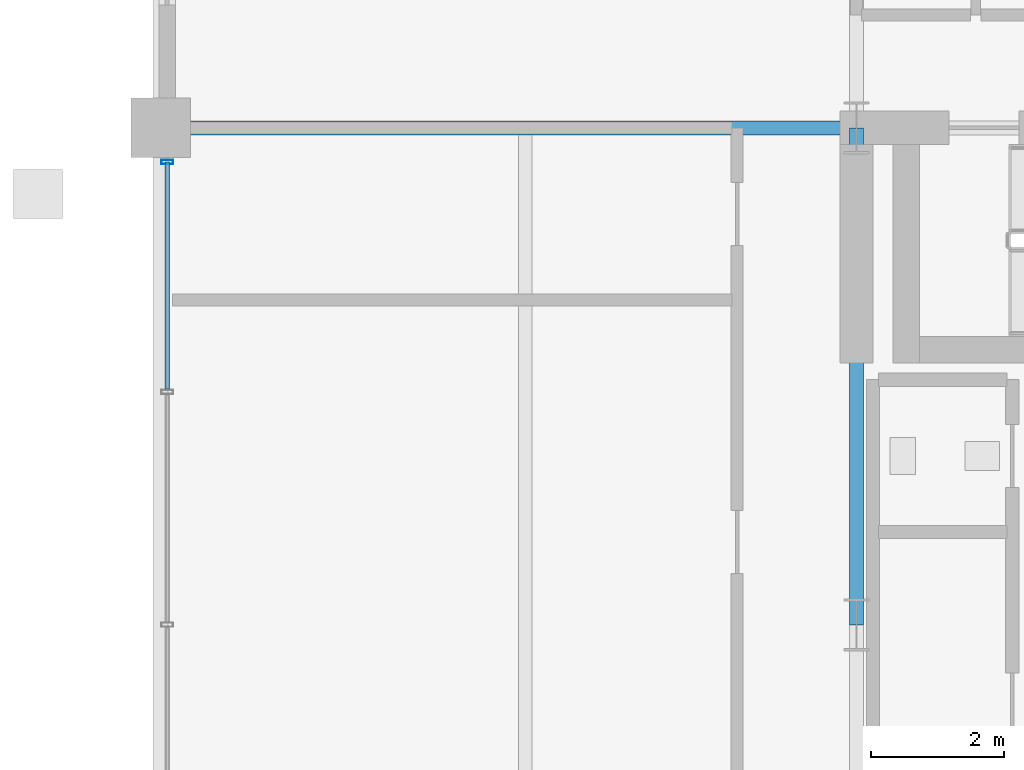
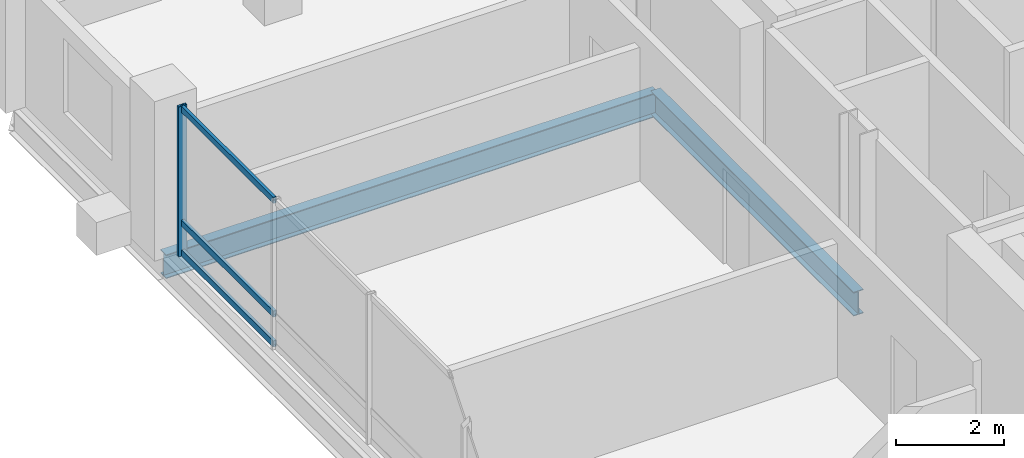
# One storey, part 8 of 21: 4 members, 2 beams, 1 element without a shape of its own.
"""IFC4 building model written with IfcOpenShell, lengths in metres."""

from ifc_helpers import new_model, si_unit, direction, frame, origin, origin_2d, place, context, subcontext, project, spatial, hollow_rectangle, i_section, extrude, material, layer, layer_set, material_profile, profile_set, type_object, element, aggregate, save


model = new_model("IFC4")

# Units and contexts
model_context = context("Model", 3, precision=1e-05, world=origin(), true_north=direction((0.0, 1.0)))
body_context = subcontext(model_context, "Body", "Model", "MODEL_VIEW")
ifc_project = project(units=[si_unit("LENGTHUNIT", "METRE"), si_unit("AREAUNIT", "SQUARE_METRE"), si_unit("VOLUMEUNIT", "CUBIC_METRE"), si_unit("PLANEANGLEUNIT", "RADIAN"), si_unit("MASSUNIT", "GRAM", prefix="KILO")], contexts=[model_context])

# Site, building, storey
site_placement = place(None, origin())
site = spatial("IfcSite", under=ifc_project, at=site_placement, CompositionType="ELEMENT")
building_placement = place(site_placement, origin())
building = spatial("IfcBuilding", under=site, at=building_placement, Name="Barlavira Tower and Art Museum", CompositionType="ELEMENT")
storey_placement = place(building_placement, frame((0.0, 0.0, 233.10009765625)))
storey = spatial("IfcBuildingStorey", under=building, at=storey_placement, Name="L60", CompositionType="ELEMENT", Elevation=233.10009765625)

# Curtain wall, members
ifc_material_1 = material(Name="Low-iron coastal laminated glass", Category="glass")
ifc_layer = layer(ifc_material_1, 0.2099609375, Name="Low-iron coastal laminated glass")
ifc_layer_set = layer_set([ifc_layer], Name="Low-iron coastal laminated glass")
curtain_wall_type = type_object("IfcCurtainWallType", Name="Pale-Metal Unitised Curtain Wall Zone 4", PredefinedType="NOTDEFINED", material=ifc_layer_set)
curtain_wall_placement = place(storey_placement, origin())
curtain_wall = element("IfcCurtainWall", 1, at=curtain_wall_placement, inside=storey, type_object=curtain_wall_type, Name="L60 Curtain Wall CW4-L60-W-B3", PredefinedType="NOTDEFINED")
ifc_material_2 = material(Name="Pale anodised aluminium", Category="aluminium")
ifc_material_profile_1 = material_profile(ifc_material_2, hollow_rectangle(XDim=0.06494140625, YDim=0.179931640625, WallThickness=0.00390625, at=origin_2d()), Name="ALU-MULL 65x180x4")
ifc_profile_set_1 = profile_set([ifc_material_profile_1], Name="Pale anodised aluminium")
member_type_1 = type_object("IfcMemberType", Name="Curtain Wall Pale-Metal Mullion 65x180", PredefinedType="MULLION", material=ifc_profile_set_1)
member_1_placement = place(storey_placement, frame((-16.89990234375, 6.985107421875, 0.0), z_axis=(0.0, 0.0, 1.0), x_axis=(0.0, -1.0, 0.0)))
member_1 = element("IfcMember", 2, at=member_1_placement, type_object=member_type_1, Name="CW4-L60-W-B3 Mullion 0", PredefinedType="MULLION", context=body_context, shape_type="SweptSolid", body=[
    extrude(hollow_rectangle(XDim=0.06494140625, YDim=0.179931640625, WallThickness=0.00390625, at=origin_2d()), origin(), (0.0, 0.0, 1.0), 3.3798828125),
])
ifc_material_profile_2 = material_profile(ifc_material_2, hollow_rectangle(XDim=0.06494140625, YDim=0.139892578125, WallThickness=0.00390625, at=origin_2d()), Name="ALU-TRAN 65x140x4")
ifc_profile_set_2 = profile_set([ifc_material_profile_2], Name="Pale anodised aluminium")
member_type_2 = type_object("IfcMemberType", Name="Curtain Wall Pale-Metal Transom 65x140", PredefinedType="USERDEFINED", material=ifc_profile_set_2)
member_2_placement = place(storey_placement, frame((-16.89990234375, 6.985107421875, 0.06982421875), z_axis=(0.0, -1.0, 0.0), x_axis=(1.0, 0.0, 0.0)))
member_2 = element("IfcMember", 3, at=member_2_placement, type_object=member_type_2, Name="CW4-L60-W-B3 Transom 0.1", ObjectType="TRANSOM", PredefinedType="USERDEFINED", context=body_context, shape_type="SweptSolid", body=[
    extrude(hollow_rectangle(XDim=0.06494140625, YDim=0.139892578125, WallThickness=0.00390625, at=origin_2d()), origin(), (0.0, 0.0, 1.0), 3.425048828125),
])
member_3_placement = place(storey_placement, frame((-16.89990234375, 6.985107421875, 0.743896484375), z_axis=(0.0, -1.0, 0.0), x_axis=(1.0, 0.0, 0.0)))
member_3 = element("IfcMember", 4, at=member_3_placement, type_object=member_type_2, Name="CW4-L60-W-B3 Transom 0.2", ObjectType="TRANSOM", PredefinedType="USERDEFINED", context=body_context, shape_type="SweptSolid", body=[
    extrude(hollow_rectangle(XDim=0.06494140625, YDim=0.139892578125, WallThickness=0.00390625, at=origin_2d()), origin(), (0.0, 0.0, 1.0), 3.425048828125),
])
member_4_placement = place(storey_placement, frame((-16.89990234375, 6.985107421875, 3.309814453125), z_axis=(0.0, -1.0, 0.0), x_axis=(1.0, 0.0, 0.0)))
member_4 = element("IfcMember", 5, at=member_4_placement, type_object=member_type_2, Name="CW4-L60-W-B3 Transom 0.3", ObjectType="TRANSOM", PredefinedType="USERDEFINED", context=body_context, shape_type="SweptSolid", body=[
    extrude(hollow_rectangle(XDim=0.06494140625, YDim=0.139892578125, WallThickness=0.00390625, at=origin_2d()), origin(), (0.0, 0.0, 1.0), 3.425048828125),
])
aggregate(curtain_wall, [member_1, member_2, member_3, member_4])

# Beams
ifc_material_3 = material(Name="Steel S355", Category="steel")
ifc_material_profile_3 = material_profile(ifc_material_3, i_section(OverallWidth=0.2109375, OverallDepth=0.5390625, WebThickness=0.01171875, FlangeThickness=0.018798828125, at=origin_2d()), Name="W530x109.0")
ifc_profile_set_3 = profile_set([ifc_material_profile_3], Name="Steel S355")
beam_type = type_object("IfcBeamType", Name="Zone 3-4 Primary Floor Girder W530x109 Steel S355", PredefinedType="BEAM", material=ifc_profile_set_3)
beam_1_placement = place(storey_placement, frame((-6.5, 0.0, -0.489501953125), z_axis=(0.0, 1.0, 0.0), x_axis=(-1.0, 0.0, 0.0)))
element("IfcBeam", 6, at=beam_1_placement, inside=storey, type_object=beam_type, Name="L60 Girder C-W2", PredefinedType="BEAM", context=body_context, shape_type="SweptSolid", body=[
    extrude(i_section(OverallWidth=0.2109375, OverallDepth=0.5390625, WebThickness=0.01171875, FlangeThickness=0.018798828125, at=origin_2d()), origin(), (0.0, 0.0, 1.0), 7.5),
])
beam_2_placement = place(storey_placement, frame((-17.0, 7.5, -0.489501953125), z_axis=(1.0, 0.0, 0.0), x_axis=(0.0, 1.0, 0.0)))
element("IfcBeam", 7, at=beam_2_placement, inside=storey, type_object=beam_type, Name="L60 Girder R-W2", PredefinedType="BEAM", context=body_context, shape_type="SweptSolid", body=[
    extrude(i_section(OverallWidth=0.2109375, OverallDepth=0.5390625, WebThickness=0.01171875, FlangeThickness=0.018798828125, at=origin_2d()), origin(), (0.0, 0.0, 1.0), 10.5),
])

save(model, "model.ifc")
